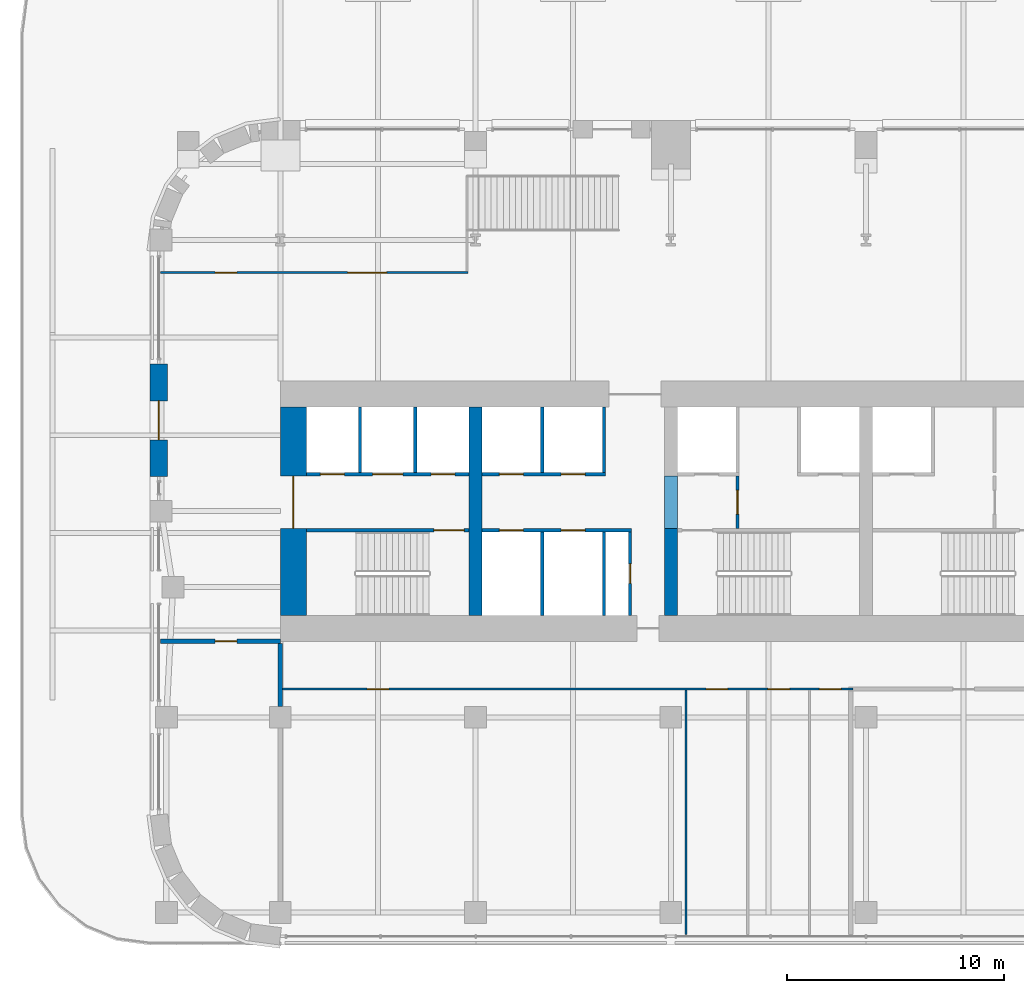
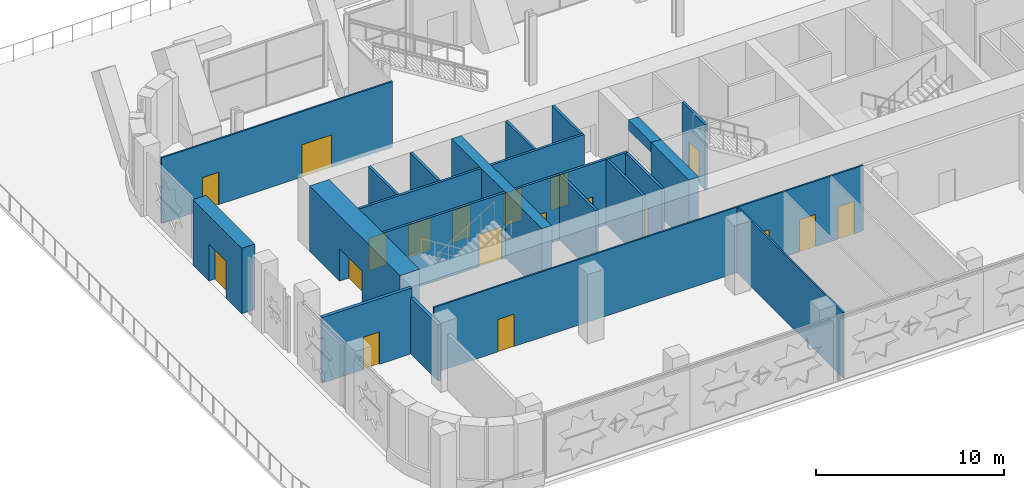
# One storey, part 14 of 26: 22 walls, 19 doors, 19 openings.
"""IFC4 building model written with IfcOpenShell, lengths in metres."""

from ifc_helpers import new_model, si_unit, direction, frame, frame_2d, origin, place, context, subcontext, project, spatial, rectangle, extrude, material, layer, layer_set, type_object, element, fill, save


model = new_model("IFC4")

# Units and contexts
model_context = context("Model", 3, precision=1e-05, world=origin(), true_north=direction((0.0, 1.0)))
body_context = subcontext(model_context, "Body", "Model", "MODEL_VIEW")
ifc_project = project(units=[si_unit("LENGTHUNIT", "METRE"), si_unit("AREAUNIT", "SQUARE_METRE"), si_unit("VOLUMEUNIT", "CUBIC_METRE"), si_unit("PLANEANGLEUNIT", "RADIAN"), si_unit("MASSUNIT", "GRAM", prefix="KILO")], contexts=[model_context])

# Site, building, storey
site_placement = place(None, origin())
site = spatial("IfcSite", under=ifc_project, at=site_placement, CompositionType="ELEMENT")
building_placement = place(site_placement, origin())
building = spatial("IfcBuilding", under=site, at=building_placement, Name="Zellij Exchange Tower", CompositionType="ELEMENT")
storey_placement = place(building_placement, frame((0.0, 0.0, 39.0)))
storey = spatial("IfcBuildingStorey", under=building, at=storey_placement, Name="L06", CompositionType="ELEMENT", Elevation=39.0)

# Walls
ifc_material_1 = material(Name="Concrete C70/85", Category="concrete")
ifc_layer_1 = layer(ifc_material_1, 0.60009765625)
ifc_layer_set_1 = layer_set([ifc_layer_1], Name="Concrete C70/85")
wall_type_1 = type_object("IfcWallType", Name="CORE-CW 600 C70/85", PredefinedType="SHEAR", material=ifc_layer_set_1)
wall_1_placement = place(storey_placement, frame((-18.0, -12.800048828125, 0.0), z_axis=(0.0, 0.0, 1.0), x_axis=(0.0, 1.0, 0.0)))
element("IfcWall", 1, at=wall_1_placement, inside=storey, type_object=wall_type_1, Name="Core cross wall x -18 L06", PredefinedType="SHEAR", context=body_context, shape_type="SweptSolid", body=[
    extrude(rectangle(XDim=9.60009765625, YDim=0.60009765625, at=frame_2d((4.800048828125, 0.0))), origin(), (0.0, 0.0, 1.0), 4.25),
])
wall_2_placement = place(storey_placement, frame((-9.0, -12.800048828125, 0.0), z_axis=(0.0, 0.0, 1.0), x_axis=(0.0, 1.0, 0.0)))
element("IfcWall", 2, at=wall_2_placement, inside=storey, type_object=wall_type_1, Name="Core cross wall pier x -9 a L06", PredefinedType="SHEAR", context=body_context, shape_type="SweptSolid", body=[
    extrude(rectangle(XDim=4.0, YDim=0.60009765625, at=frame_2d((2.0, 0.0))), origin(), (0.0, 0.0, 1.0), 4.25),
])
wall_3_placement = place(storey_placement, frame((-9.0, -8.800048828125, 3.60009765625), z_axis=(0.0, 0.0, 1.0), x_axis=(0.0, 1.0, 0.0)))
element("IfcWall", 3, at=wall_3_placement, inside=storey, type_object=wall_type_1, Name="Core cross wall over opening x -9 L06", PredefinedType="SHEAR", context=body_context, shape_type="SweptSolid", body=[
    extrude(rectangle(XDim=2.425048828125, YDim=0.60009765625, at=frame_2d((1.21240234375, 0.0))), origin(), (0.0, 0.0, 1.0), 0.64990234375),
])

# Wall, opening, door
ifc_material_2 = material(Name="Gypsum shaft wall system")
ifc_layer_2 = layer(ifc_material_2, 0.14990234375)
ifc_layer_set_2 = layer_set([ifc_layer_2], Name="Gypsum shaft wall system")
wall_type_2 = type_object("IfcWallType", Name="CORE-PW 150 Firefighting lobby wall", PredefinedType="PARTITIONING", material=ifc_layer_set_2)
wall_4_placement = place(storey_placement, frame((-5.925048828125, -8.800048828125, 0.0), z_axis=(0.0, 0.0, 1.0), x_axis=(0.0, 1.0, 0.0)))
wall_4 = element("IfcWall", 4, at=wall_4_placement, inside=storey, type_object=wall_type_2, Name="Firefighting lobby wall L06", PredefinedType="PARTITIONING", context=body_context, shape_type="SweptSolid", body=[
    extrude(rectangle(XDim=2.425048828125, YDim=0.14990234375, at=frame_2d((1.21240234375, 0.0))), origin(), (0.0, 0.0, 1.0), 4.25),
])
opening_1_placement = place(wall_4_placement, frame((0.662109375, 0.0, 0.0)))
opening_1 = element("IfcOpeningElement", 5, at=opening_1_placement, cuts=wall_4, Name="Opening CA-06.15", PredefinedType="OPENING", context=body_context, shape_type="SweptSolid", body=[
    extrude(rectangle(XDim=1.10009765625, YDim=2.10009765625, at=frame_2d((0.550048828125, 1.050048828125))), frame((0.0, 0.0869140625, 0.0), z_axis=(0.0, -1.0, 0.0), x_axis=(1.0, 0.0, 0.0)), (0.0, 0.0, 1.0), 0.173828125),
])
ifc_material_3 = material(Name="Hollow metal fire door")
door_type_1 = type_object("IfcDoorType", Name="CORE-D F Firefighting lobby door 1100x2100 1 HR", OperationType="NOTDEFINED", PredefinedType="DOOR", material=ifc_material_3)
door_1_placement = place(opening_1_placement, origin())
door_1 = element("IfcDoor", 6, at=door_1_placement, inside=storey, type_object=door_type_1, Name="Firefighting lobby door CA-06.15", OperationType="SINGLE_SWING_LEFT", OverallHeight=2.10009765625, OverallWidth=1.10009765625, PredefinedType="DOOR", context=body_context, shape_type="SweptSolid", body=[
    extrude(rectangle(XDim=1.10009765625, YDim=2.10009765625, at=frame_2d((0.550048828125, 1.050048828125))), frame((0.0, 0.02490234375, 0.0), z_axis=(0.0, -1.0, 0.0), x_axis=(1.0, 0.0, 0.0)), (0.0, 0.0, 1.0), 0.050048828125),
])
fill(opening_1, door_1)

ifc_material_4 = material(Name="Gypsum board partition")
ifc_layer_3 = layer(ifc_material_4, 0.14990234375)
ifc_layer_set_3 = layer_set([ifc_layer_3], Name="Gypsum board partition")
wall_type_3 = type_object("IfcWallType", Name="CORE-PW 150 Lift lobby wall", PredefinedType="PARTITIONING", material=ifc_layer_set_3)
wall_5_placement = place(storey_placement, frame((-10.875, -12.800048828125, 0.0), z_axis=(0.0, 0.0, 1.0), x_axis=(0.0, 1.0, 0.0)))
wall_5 = element("IfcWall", 7, at=wall_5_placement, inside=storey, type_object=wall_type_3, Name="Lift lobby wall L06", PredefinedType="PARTITIONING", context=body_context, shape_type="SweptSolid", body=[
    extrude(rectangle(XDim=3.85009765625, YDim=0.14990234375, at=frame_2d((1.925048828125, 0.0))), origin(), (0.0, 0.0, 1.0), 4.25),
])
opening_2_placement = place(wall_5_placement, frame((1.47509765625, 0.0, 0.0)))
opening_2 = element("IfcOpeningElement", 8, at=opening_2_placement, cuts=wall_5, Name="Opening CA-06.10", PredefinedType="OPENING", context=body_context, shape_type="SweptSolid", body=[
    extrude(rectangle(XDim=0.89990234375, YDim=2.10009765625, at=frame_2d((0.449951171875, 1.050048828125))), frame((0.0, 0.0869140625, 0.0), z_axis=(0.0, -1.0, 0.0), x_axis=(1.0, 0.0, 0.0)), (0.0, 0.0, 1.0), 0.173828125),
])
door_type_2 = type_object("IfcDoorType", Name="CORE-D RD Riser door 900x2100 1.5 HR", OperationType="NOTDEFINED", PredefinedType="DOOR", material=ifc_material_3)
door_2_placement = place(opening_2_placement, origin())
door_2 = element("IfcDoor", 9, at=door_2_placement, inside=storey, type_object=door_type_2, Name="Riser door CA-06.10", OperationType="SINGLE_SWING_RIGHT", OverallHeight=2.10009765625, OverallWidth=0.89990234375, PredefinedType="DOOR", context=body_context, shape_type="SweptSolid", body=[
    extrude(rectangle(XDim=0.89990234375, YDim=2.10009765625, at=frame_2d((0.449951171875, 1.050048828125))), frame((0.0, 0.02490234375, 0.0), z_axis=(0.0, -1.0, 0.0), x_axis=(1.0, 0.0, 0.0)), (0.0, 0.0, 1.0), 0.050048828125),
])
fill(opening_2, door_2)

# Walls
ifc_layer_4 = layer(ifc_material_2, 0.14990234375)
ifc_layer_set_4 = layer_set([ifc_layer_4], Name="Gypsum shaft wall system")
wall_type_4 = type_object("IfcWallType", Name="CORE-PW 150 Lift shaft wall", PredefinedType="PARTITIONING", material=ifc_layer_set_4)
for number, where, z_axis, x_axis, name in (
    (10, (-20.77490234375, -6.22509765625, 0.0), (0.0, 0.0, 1.0), (0.0, 1.0, 0.0), "Lift shaft wall L06"),
    (11, (-23.324951171875, -6.22509765625, 0.0), (0.0, 0.0, 1.0), (0.0, 1.0, 0.0), "Lift shaft wall L06"),
    (12, (-12.074951171875, -6.22509765625, 0.0), (0.0, 0.0, 1.0), (0.0, 1.0, 0.0), "Lift shaft wall L06"),
    (13, (-14.925048828125, -6.22509765625, 0.0), (0.0, 0.0, 1.0), (0.0, 1.0, 0.0), "Lift shaft wall L06"),
):
    element("IfcWall", number, at=place(storey_placement, frame(where, z_axis=z_axis, x_axis=x_axis)), inside=storey, type_object=wall_type_4, Name=name, PredefinedType="PARTITIONING", context=body_context, shape_type="SweptSolid", body=[
        extrude(rectangle(XDim=3.025146484375, YDim=0.14990234375, at=frame_2d((1.5126953125, 0.0))), origin(), (0.0, 0.0, 1.0), 4.25),
    ])
for number, where, z_axis, x_axis, name in (
    (14, (-12.074951171875, -12.800048828125, 0.0), (0.0, 0.0, 1.0), (0.0, 1.0, 0.0), "Lift shaft wall L06"),
    (15, (-14.925048828125, -12.800048828125, 0.0), (0.0, 0.0, 1.0), (0.0, 1.0, 0.0), "Lift shaft wall L06"),
):
    element("IfcWall", number, at=place(storey_placement, frame(where, z_axis=z_axis, x_axis=x_axis)), inside=storey, type_object=wall_type_4, Name=name, PredefinedType="PARTITIONING", context=body_context, shape_type="SweptSolid", body=[
        extrude(rectangle(XDim=3.85009765625, YDim=0.14990234375, at=frame_2d((1.925048828125, 0.0))), origin(), (0.0, 0.0, 1.0), 4.25),
    ])

# Wall, openings, doors
wall_6_placement = place(storey_placement, frame((-25.800048828125, -6.300048828125, 0.0), z_axis=(0.0, 0.0, 1.0), x_axis=(1.0, 0.0, 0.0)))
wall_6 = element("IfcWall", 16, at=wall_6_placement, inside=storey, type_object=wall_type_4, Name="Lift shaft wall L06", PredefinedType="PARTITIONING", context=body_context, shape_type="SweptSolid", body=[
    extrude(rectangle(XDim=7.5, YDim=0.14990234375, at=frame_2d((3.75, 0.0))), origin(), (0.0, 0.0, 1.0), 4.25),
])
opening_3_placement = place(wall_6_placement, frame((0.64990234375, 0.0, 0.0)))
opening_3 = element("IfcOpeningElement", 17, at=opening_3_placement, cuts=wall_6, Name="Opening CA-06.02", PredefinedType="OPENING", context=body_context, shape_type="SweptSolid", body=[
    extrude(rectangle(XDim=1.10009765625, YDim=2.10009765625, at=frame_2d((0.550048828125, 1.050048828125))), frame((0.0, 0.0869140625, 0.0), z_axis=(0.0, -1.0, 0.0), x_axis=(1.0, 0.0, 0.0)), (0.0, 0.0, 1.0), 0.173828125),
])
opening_4_placement = place(wall_6_placement, frame((3.050048828125, 0.0, 0.0)))
opening_4 = element("IfcOpeningElement", 18, at=opening_4_placement, cuts=wall_6, Name="Opening CA-06.03", PredefinedType="OPENING", context=body_context, shape_type="SweptSolid", body=[
    extrude(rectangle(XDim=1.39990234375, YDim=2.10009765625, at=frame_2d((0.699951171875, 1.050048828125))), frame((0.0, 0.0869140625, 0.0), z_axis=(0.0, -1.0, 0.0), x_axis=(1.0, 0.0, 0.0)), (0.0, 0.0, 1.0), 0.173828125),
])
opening_5_placement = place(wall_6_placement, frame((5.75, 0.0, 0.0)))
opening_5 = element("IfcOpeningElement", 19, at=opening_5_placement, cuts=wall_6, Name="Opening CA-06.04", PredefinedType="OPENING", context=body_context, shape_type="SweptSolid", body=[
    extrude(rectangle(XDim=1.10009765625, YDim=2.10009765625, at=frame_2d((0.550048828125, 1.050048828125))), frame((0.0, 0.0869140625, 0.0), z_axis=(0.0, -1.0, 0.0), x_axis=(1.0, 0.0, 0.0)), (0.0, 0.0, 1.0), 0.173828125),
])
door_type_3 = type_object("IfcDoorType", Name="CORE-D LD Lift landing door 1100x2100 1.5 HR", OperationType="NOTDEFINED", PredefinedType="DOOR", material=ifc_material_3)
door_3_placement = place(opening_3_placement, origin())
door_3 = element("IfcDoor", 20, at=door_3_placement, inside=storey, type_object=door_type_3, Name="Lift landing door CA-06.02", OperationType="SLIDING_TO_RIGHT", OverallHeight=2.10009765625, OverallWidth=1.10009765625, PredefinedType="DOOR", context=body_context, shape_type="SweptSolid", body=[
    extrude(rectangle(XDim=1.10009765625, YDim=2.10009765625, at=frame_2d((0.550048828125, 1.050048828125))), frame((0.0, 0.02490234375, 0.0), z_axis=(0.0, -1.0, 0.0), x_axis=(1.0, 0.0, 0.0)), (0.0, 0.0, 1.0), 0.050048828125),
])
fill(opening_3, door_3)
door_4_placement = place(opening_5_placement, origin())
door_4 = element("IfcDoor", 21, at=door_4_placement, inside=storey, type_object=door_type_3, Name="Lift landing door CA-06.04", OperationType="SLIDING_TO_RIGHT", OverallHeight=2.10009765625, OverallWidth=1.10009765625, PredefinedType="DOOR", context=body_context, shape_type="SweptSolid", body=[
    extrude(rectangle(XDim=1.10009765625, YDim=2.10009765625, at=frame_2d((0.550048828125, 1.050048828125))), frame((0.0, 0.02490234375, 0.0), z_axis=(0.0, -1.0, 0.0), x_axis=(1.0, 0.0, 0.0)), (0.0, 0.0, 1.0), 0.050048828125),
])
fill(opening_5, door_4)
door_type_4 = type_object("IfcDoorType", Name="CORE-D LD2 Service lift landing door 1400x2100 1.5 HR", OperationType="NOTDEFINED", PredefinedType="DOOR", material=ifc_material_3)
door_5_placement = place(opening_4_placement, origin())
door_5 = element("IfcDoor", 22, at=door_5_placement, inside=storey, type_object=door_type_4, Name="Service lift landing door CA-06.03", OperationType="SLIDING_TO_LEFT", OverallHeight=2.10009765625, OverallWidth=1.39990234375, PredefinedType="DOOR", context=body_context, shape_type="SweptSolid", body=[
    extrude(rectangle(XDim=1.39990234375, YDim=2.10009765625, at=frame_2d((0.699951171875, 1.050048828125))), frame((0.0, 0.02490234375, 0.0), z_axis=(0.0, -1.0, 0.0), x_axis=(1.0, 0.0, 0.0)), (0.0, 0.0, 1.0), 0.050048828125),
])
fill(opening_4, door_5)

wall_7_placement = place(storey_placement, frame((-17.699951171875, -6.300048828125, 0.0), z_axis=(0.0, 0.0, 1.0), x_axis=(1.0, 0.0, 0.0)))
wall_7 = element("IfcWall", 23, at=wall_7_placement, inside=storey, type_object=wall_type_4, Name="Lift shaft wall L06", PredefinedType="PARTITIONING", context=body_context, shape_type="SweptSolid", body=[
    extrude(rectangle(XDim=5.699951171875, YDim=0.14990234375, at=frame_2d((2.85009765625, 0.0))), origin(), (0.0, 0.0, 1.0), 4.25),
])
opening_6_placement = place(wall_7_placement, frame((0.800048828125, 0.0, 0.0)))
opening_6 = element("IfcOpeningElement", 24, at=opening_6_placement, cuts=wall_7, Name="Opening CA-06.07", PredefinedType="OPENING", context=body_context, shape_type="SweptSolid", body=[
    extrude(rectangle(XDim=1.10009765625, YDim=2.10009765625, at=frame_2d((0.550048828125, 1.050048828125))), frame((0.0, 0.0869140625, 0.0), z_axis=(0.0, -1.0, 0.0), x_axis=(1.0, 0.0, 0.0)), (0.0, 0.0, 1.0), 0.173828125),
])
opening_7_placement = place(wall_7_placement, frame((3.64990234375, 0.0, 0.0)))
opening_7 = element("IfcOpeningElement", 25, at=opening_7_placement, cuts=wall_7, Name="Opening CA-06.09", PredefinedType="OPENING", context=body_context, shape_type="SweptSolid", body=[
    extrude(rectangle(XDim=1.10009765625, YDim=2.10009765625, at=frame_2d((0.550048828125, 1.050048828125))), frame((0.0, 0.0869140625, 0.0), z_axis=(0.0, -1.0, 0.0), x_axis=(1.0, 0.0, 0.0)), (0.0, 0.0, 1.0), 0.173828125),
])
door_6_placement = place(opening_6_placement, origin())
door_6 = element("IfcDoor", 26, at=door_6_placement, inside=storey, type_object=door_type_3, Name="Lift landing door CA-06.07", OperationType="SLIDING_TO_LEFT", OverallHeight=2.10009765625, OverallWidth=1.10009765625, PredefinedType="DOOR", context=body_context, shape_type="SweptSolid", body=[
    extrude(rectangle(XDim=1.10009765625, YDim=2.10009765625, at=frame_2d((0.550048828125, 1.050048828125))), frame((0.0, 0.02490234375, 0.0), z_axis=(0.0, -1.0, 0.0), x_axis=(1.0, 0.0, 0.0)), (0.0, 0.0, 1.0), 0.050048828125),
])
fill(opening_6, door_6)
door_7_placement = place(opening_7_placement, origin())
door_7 = element("IfcDoor", 27, at=door_7_placement, inside=storey, type_object=door_type_3, Name="Lift landing door CA-06.09", OperationType="SLIDING_TO_LEFT", OverallHeight=2.10009765625, OverallWidth=1.10009765625, PredefinedType="DOOR", context=body_context, shape_type="SweptSolid", body=[
    extrude(rectangle(XDim=1.10009765625, YDim=2.10009765625, at=frame_2d((0.550048828125, 1.050048828125))), frame((0.0, 0.02490234375, 0.0), z_axis=(0.0, -1.0, 0.0), x_axis=(1.0, 0.0, 0.0)), (0.0, 0.0, 1.0), 0.050048828125),
])
fill(opening_7, door_7)

wall_8_placement = place(storey_placement, frame((-17.699951171875, -8.875, 0.0), z_axis=(0.0, 0.0, 1.0), x_axis=(1.0, 0.0, 0.0)))
wall_8 = element("IfcWall", 28, at=wall_8_placement, inside=storey, type_object=wall_type_4, Name="Lift shaft wall L06", PredefinedType="PARTITIONING", context=body_context, shape_type="SweptSolid", body=[
    extrude(rectangle(XDim=6.89990234375, YDim=0.14990234375, at=frame_2d((3.449951171875, 0.0))), origin(), (0.0, 0.0, 1.0), 4.25),
])
opening_8_placement = place(wall_8_placement, frame((0.800048828125, 0.0, 0.0)))
opening_8 = element("IfcOpeningElement", 29, at=opening_8_placement, cuts=wall_8, Name="Opening CA-06.06", PredefinedType="OPENING", context=body_context, shape_type="SweptSolid", body=[
    extrude(rectangle(XDim=1.10009765625, YDim=2.10009765625, at=frame_2d((0.550048828125, 1.050048828125))), frame((0.0, 0.0869140625, 0.0), z_axis=(0.0, -1.0, 0.0), x_axis=(1.0, 0.0, 0.0)), (0.0, 0.0, 1.0), 0.173828125),
])
opening_9_placement = place(wall_8_placement, frame((3.64990234375, 0.0, 0.0)))
opening_9 = element("IfcOpeningElement", 30, at=opening_9_placement, cuts=wall_8, Name="Opening CA-06.08", PredefinedType="OPENING", context=body_context, shape_type="SweptSolid", body=[
    extrude(rectangle(XDim=1.10009765625, YDim=2.10009765625, at=frame_2d((0.550048828125, 1.050048828125))), frame((0.0, 0.0869140625, 0.0), z_axis=(0.0, -1.0, 0.0), x_axis=(1.0, 0.0, 0.0)), (0.0, 0.0, 1.0), 0.173828125),
])
door_8_placement = place(opening_8_placement, origin())
door_8 = element("IfcDoor", 31, at=door_8_placement, inside=storey, type_object=door_type_3, Name="Lift landing door CA-06.06", OperationType="SLIDING_TO_RIGHT", OverallHeight=2.10009765625, OverallWidth=1.10009765625, PredefinedType="DOOR", context=body_context, shape_type="SweptSolid", body=[
    extrude(rectangle(XDim=1.10009765625, YDim=2.10009765625, at=frame_2d((0.550048828125, 1.050048828125))), frame((0.0, 0.02490234375, 0.0), z_axis=(0.0, -1.0, 0.0), x_axis=(1.0, 0.0, 0.0)), (0.0, 0.0, 1.0), 0.050048828125),
])
fill(opening_8, door_8)
door_9_placement = place(opening_9_placement, origin())
door_9 = element("IfcDoor", 32, at=door_9_placement, inside=storey, type_object=door_type_3, Name="Lift landing door CA-06.08", OperationType="SLIDING_TO_RIGHT", OverallHeight=2.10009765625, OverallWidth=1.10009765625, PredefinedType="DOOR", context=body_context, shape_type="SweptSolid", body=[
    extrude(rectangle(XDim=1.10009765625, YDim=2.10009765625, at=frame_2d((0.550048828125, 1.050048828125))), frame((0.0, 0.02490234375, 0.0), z_axis=(0.0, -1.0, 0.0), x_axis=(1.0, 0.0, 0.0)), (0.0, 0.0, 1.0), 0.050048828125),
])
fill(opening_9, door_9)

# Wall, opening, door
ifc_layer_5 = layer(ifc_material_1, 1.199951171875)
ifc_layer_set_5 = layer_set([ifc_layer_5], Name="Concrete C70/85")
wall_type_5 = type_object("IfcWallType", Name="CORE-SW 1200 C70/85", PredefinedType="SHEAR", material=ifc_layer_set_5)
wall_9_placement = place(storey_placement, frame((-26.39990234375, -12.800048828125, 0.0), z_axis=(0.0, 0.0, 1.0), x_axis=(0.0, 1.0, 0.0)))
wall_9 = element("IfcWall", 33, at=wall_9_placement, inside=storey, type_object=wall_type_5, Name="Core shear wall end w L06", PredefinedType="SHEAR", context=body_context, shape_type="SweptSolid", body=[
    extrude(rectangle(XDim=9.60009765625, YDim=1.199951171875, at=frame_2d((4.800048828125, 0.0))), origin(), (0.0, 0.0, 1.0), 4.25),
])
opening_10_placement = place(wall_9_placement, frame((4.011962890625, 0.0, 0.0)))
opening_10 = element("IfcOpeningElement", 34, at=opening_10_placement, cuts=wall_9, Name="Opening CA-06.01", PredefinedType="OPENING", context=body_context, shape_type="SweptSolid", body=[
    extrude(rectangle(XDim=2.39990234375, YDim=2.10009765625, at=frame_2d((1.199951171875, 1.050048828125))), frame((0.0, 0.61181640625, 0.0), z_axis=(0.0, -1.0, 0.0), x_axis=(1.0, 0.0, 0.0)), (0.0, 0.0, 1.0), 1.223876953125),
])
door_type_5 = type_object("IfcDoorType", Name="CORE-D CE Core entrance door 2400x2100 20 MIN", OperationType="NOTDEFINED", PredefinedType="DOOR", material=ifc_material_3)
door_10_placement = place(opening_10_placement, origin())
door_10 = element("IfcDoor", 35, at=door_10_placement, inside=storey, type_object=door_type_5, Name="Core entrance door CA-06.01", OperationType="DOUBLE_DOOR_SINGLE_SWING", OverallHeight=2.10009765625, OverallWidth=2.39990234375, PredefinedType="DOOR", context=body_context, shape_type="SweptSolid", body=[
    extrude(rectangle(XDim=2.39990234375, YDim=2.10009765625, at=frame_2d((1.199951171875, 1.050048828125))), frame((0.0, 0.02490234375, 0.0), z_axis=(0.0, -1.0, 0.0), x_axis=(1.0, 0.0, 0.0)), (0.0, 0.0, 1.0), 0.050048828125),
])
fill(opening_10, door_10)

ifc_layer_6 = layer(ifc_material_1, 0.14990234375)
ifc_layer_set_6 = layer_set([ifc_layer_6], Name="Concrete C70/85")
wall_type_6 = type_object("IfcWallType", Name="CORE-SWS 150 C70/85", PredefinedType="SHEAR", material=ifc_layer_set_6)
wall_10_placement = place(storey_placement, frame((-25.800048828125, -8.875, 0.0), z_axis=(0.0, 0.0, 1.0), x_axis=(1.0, 0.0, 0.0)))
wall_10 = element("IfcWall", 36, at=wall_10_placement, inside=storey, type_object=wall_type_6, Name="Stair enclosure wall L06", PredefinedType="SHEAR", context=body_context, shape_type="SweptSolid", body=[
    extrude(rectangle(XDim=7.5, YDim=0.14990234375, at=frame_2d((3.75, 0.0))), origin(), (0.0, 0.0, 1.0), 4.25),
])
opening_11_placement = place(wall_10_placement, frame((5.875, 0.0, 0.0)))
opening_11 = element("IfcOpeningElement", 37, at=opening_11_placement, cuts=wall_10, Name="Opening CA-06.05", PredefinedType="OPENING", context=body_context, shape_type="SweptSolid", body=[
    extrude(rectangle(XDim=1.39990234375, YDim=2.10009765625, at=frame_2d((0.699951171875, 1.050048828125))), frame((0.0, 0.0869140625, 0.0), z_axis=(0.0, -1.0, 0.0), x_axis=(1.0, 0.0, 0.0)), (0.0, 0.0, 1.0), 0.173828125),
])
door_type_6 = type_object("IfcDoorType", Name="CORE-D SD Stair door 1400x2100 1.5 HR", OperationType="NOTDEFINED", PredefinedType="DOOR", material=ifc_material_3)
door_11_placement = place(opening_11_placement, origin())
door_11 = element("IfcDoor", 38, at=door_11_placement, inside=storey, type_object=door_type_6, Name="Stair door CA-06.05", OperationType="DOUBLE_DOOR_SINGLE_SWING", OverallHeight=2.10009765625, OverallWidth=1.39990234375, PredefinedType="DOOR", context=body_context, shape_type="SweptSolid", body=[
    extrude(rectangle(XDim=1.39990234375, YDim=2.10009765625, at=frame_2d((0.699951171875, 1.050048828125))), frame((0.0, 0.02490234375, 0.0), z_axis=(0.0, -1.0, 0.0), x_axis=(1.0, 0.0, 0.0)), (0.0, 0.0, 1.0), 0.050048828125),
])
fill(opening_11, door_11)

ifc_material_5 = material(Name="Precast concrete C40/50", Category="concrete")
ifc_layer_7 = layer(ifc_material_5, 0.800048828125)
ifc_layer_set_7 = layer_set([ifc_layer_7], Name="Precast concrete C40/50")
wall_type_7 = type_object("IfcWallType", Name="ENV-EW1 Precast stone-piered wall 800", PredefinedType="SOLIDWALL", material=ifc_layer_set_7)
wall_11_placement = place(storey_placement, frame((-32.60009765625, -1.2158203125, 0.0), z_axis=(0.0, 0.0, 1.0), x_axis=(0.0, -1.0, 0.0)))
wall_11 = element("IfcWall", 39, at=wall_11_placement, inside=storey, type_object=wall_type_7, Name="fac.L06.21b", PredefinedType="SOLIDWALL", context=body_context, shape_type="SweptSolid", body=[
    extrude(rectangle(XDim=5.189453125, YDim=0.800048828125, at=frame_2d((2.5947265625, 0.0))), origin(), (0.0, 0.0, 1.0), 4.25),
])
opening_12_placement = place(wall_11_placement, frame((1.694580078125, 0.0, 0.0)))
opening_12 = element("IfcOpeningElement", 40, at=opening_12_placement, cuts=wall_11, Name="Opening FG.17", PredefinedType="OPENING", context=body_context, shape_type="SweptSolid", body=[
    extrude(rectangle(XDim=1.800048828125, YDim=2.39990234375, at=frame_2d((0.89990234375, 1.199951171875))), frame((0.0, 0.412109375, 0.0), z_axis=(0.0, -1.0, 0.0), x_axis=(1.0, 0.0, 0.0)), (0.0, 0.0, 1.0), 0.823974609375),
])
ifc_material_6 = material(Name="Aluminium and glass terrace door", Category="aluminium")
door_type_7 = type_object("IfcDoorType", Name="ENV-ED5 Terrace door 1800x2400", OperationType="DOUBLE_DOOR_SINGLE_SWING", PredefinedType="DOOR", material=ifc_material_6)
door_12_placement = place(opening_12_placement, origin())
door_12 = element("IfcDoor", 41, at=door_12_placement, inside=storey, type_object=door_type_7, Name="Terrace door FG.17", OperationType="DOUBLE_DOOR_SINGLE_SWING", OverallHeight=2.39990234375, OverallWidth=1.800048828125, PredefinedType="DOOR", context=body_context, shape_type="SweptSolid", body=[
    extrude(rectangle(XDim=1.800048828125, YDim=2.39990234375, at=frame_2d((0.89990234375, 1.199951171875))), frame((0.0, 0.02490234375, 0.0), z_axis=(0.0, -1.0, 0.0), x_axis=(1.0, 0.0, 0.0)), (0.0, 0.0, 1.0), 0.050048828125),
])
fill(opening_12, door_12)

# Wall
ifc_material_7 = material(Name="Blockwork partition", Category="masonry")
ifc_layer_8 = layer(ifc_material_7, 0.199951171875)
ifc_layer_set_8 = layer_set([ifc_layer_8], Name="Blockwork partition")
wall_type_8 = type_object("IfcWallType", Name="FIT-BLOCKWORK-200", PredefinedType="PARTITIONING", material=ifc_layer_set_8)
wall_12_placement = place(storey_placement, frame((-27.0, -17.0, 0.0), z_axis=(0.0, 0.0, 1.0), x_axis=(0.0, 1.0, 0.0)))
element("IfcWall", 42, at=wall_12_placement, inside=storey, type_object=wall_type_8, Name="FIT-BLOCKWORK-200 011", PredefinedType="PARTITIONING", context=body_context, shape_type="SweptSolid", body=[
    extrude(rectangle(XDim=2.89990234375, YDim=0.199951171875, at=frame_2d((1.449951171875, 0.0))), origin(), (0.0, 0.0, 1.0), 3.637939453125),
])

# Wall, opening, door
wall_13_placement = place(storey_placement, frame((-32.51611328125, -14.0, 0.0), z_axis=(0.0, 0.0, 1.0), x_axis=(1.0, 0.0, 0.0)))
wall_13 = element("IfcWall", 43, at=wall_13_placement, inside=storey, type_object=wall_type_8, Name="FIT-BLOCKWORK-200 019", PredefinedType="PARTITIONING", context=body_context, shape_type="SweptSolid", body=[
    extrude(rectangle(XDim=5.51611328125, YDim=0.199951171875, at=frame_2d((2.758056640625, 0.0))), origin(), (0.0, 0.0, 1.0), 4.25),
])
opening_13_placement = place(wall_13_placement, frame((2.51611328125, 0.0, 0.0)))
opening_13 = element("IfcOpeningElement", 44, at=opening_13_placement, cuts=wall_13, Name="Opening G6.09", PredefinedType="OPENING", context=body_context, shape_type="SweptSolid", body=[
    extrude(rectangle(XDim=1.0, YDim=2.10009765625, at=frame_2d((0.5, 1.050048828125))), frame((0.0, 0.11181640625, 0.0), z_axis=(0.0, -1.0, 0.0), x_axis=(1.0, 0.0, 0.0)), (0.0, 0.0, 1.0), 0.223876953125),
])
ifc_material_8 = material(Name="Timber door set", Category="wood")
door_type_8 = type_object("IfcDoorType", Name="FIT-D2-WIDE-1000X2100", OperationType="SINGLE_SWING_LEFT", PredefinedType="DOOR", material=ifc_material_8)
door_13_placement = place(opening_13_placement, origin())
door_13 = element("IfcDoor", 45, at=door_13_placement, inside=storey, type_object=door_type_8, Name="Door G6.09", OperationType="SINGLE_SWING_LEFT", OverallHeight=2.10009765625, OverallWidth=1.0, PredefinedType="DOOR", context=body_context, shape_type="SweptSolid", body=[
    extrude(rectangle(XDim=1.0, YDim=2.10009765625, at=frame_2d((0.5, 1.050048828125))), frame((0.0, 0.02490234375, 0.0), z_axis=(0.0, -1.0, 0.0), x_axis=(1.0, 0.0, 0.0)), (0.0, 0.0, 1.0), 0.050048828125),
])
fill(opening_13, door_13)

# Wall
ifc_material_9 = material(Name="Gypsum board partition on steel studs", Category="steel")
ifc_layer_9 = layer(ifc_material_9, 0.10009765625)
ifc_layer_set_9 = layer_set([ifc_layer_9], Name="Gypsum board partition on steel studs")
wall_type_9 = type_object("IfcWallType", Name="FIT-PARTITION-100", PredefinedType="PARTITIONING", material=ifc_layer_set_9)
wall_14_placement = place(storey_placement, frame((-8.300048828125, -27.51611328125, 0.0), z_axis=(0.0, 0.0, 1.0), x_axis=(0.0, 1.0, 0.0)))
element("IfcWall", 46, at=wall_14_placement, inside=storey, type_object=wall_type_9, Name="FIT-PARTITION-100 001", PredefinedType="PARTITIONING", context=body_context, shape_type="SweptSolid", body=[
    extrude(rectangle(XDim=11.26611328125, YDim=0.10009765625, at=frame_2d((5.633056640625, 0.0))), origin(), (0.0, 0.0, 1.0), 4.25),
])

# Wall, openings, doors
wall_15_placement = place(storey_placement, frame((-26.89990234375, -16.199951171875, 0.0), z_axis=(0.0, 0.0, 1.0), x_axis=(1.0, 0.0, 0.0)))
wall_15 = element("IfcWall", 47, at=wall_15_placement, inside=storey, type_object=wall_type_9, Name="FIT-PARTITION-100 014", PredefinedType="PARTITIONING", context=body_context, shape_type="SweptSolid", body=[
    extrude(rectangle(XDim=26.2998046875, YDim=0.10009765625, at=frame_2d((13.14990234375, 0.0))), origin(), (0.0, 0.0, 1.0), 4.25),
])
opening_14_placement = place(wall_15_placement, frame((3.89990234375, 0.0, 0.0)))
opening_14 = element("IfcOpeningElement", 48, at=opening_14_placement, cuts=wall_15, Name="Opening G6.01", PredefinedType="OPENING", context=body_context, shape_type="SweptSolid", body=[
    extrude(rectangle(XDim=1.0, YDim=2.10009765625, at=frame_2d((0.5, 1.050048828125))), frame((0.0, 0.06201171875, 0.0), z_axis=(0.0, -1.0, 0.0), x_axis=(1.0, 0.0, 0.0)), (0.0, 0.0, 1.0), 0.1240234375),
])
opening_15_placement = place(wall_15_placement, frame((19.52490234375, 0.0, 0.0)))
opening_15 = element("IfcOpeningElement", 49, at=opening_15_placement, cuts=wall_15, Name="Opening G6.02", PredefinedType="OPENING", context=body_context, shape_type="SweptSolid", body=[
    extrude(rectangle(XDim=1.0, YDim=2.10009765625, at=frame_2d((0.5, 1.050048828125))), frame((0.0, 0.06201171875, 0.0), z_axis=(0.0, -1.0, 0.0), x_axis=(1.0, 0.0, 0.0)), (0.0, 0.0, 1.0), 0.1240234375),
])
opening_16_placement = place(wall_15_placement, frame((22.375, 0.0, 0.0)))
opening_16 = element("IfcOpeningElement", 50, at=opening_16_placement, cuts=wall_15, Name="Opening G6.03", PredefinedType="OPENING", context=body_context, shape_type="SweptSolid", body=[
    extrude(rectangle(XDim=1.0, YDim=2.10009765625, at=frame_2d((0.5, 1.050048828125))), frame((0.0, 0.06201171875, 0.0), z_axis=(0.0, -1.0, 0.0), x_axis=(1.0, 0.0, 0.0)), (0.0, 0.0, 1.0), 0.1240234375),
])
opening_17_placement = place(wall_15_placement, frame((24.75, 0.0, 0.0)))
opening_17 = element("IfcOpeningElement", 51, at=opening_17_placement, cuts=wall_15, Name="Opening G6.04", PredefinedType="OPENING", context=body_context, shape_type="SweptSolid", body=[
    extrude(rectangle(XDim=1.0, YDim=2.10009765625, at=frame_2d((0.5, 1.050048828125))), frame((0.0, 0.06201171875, 0.0), z_axis=(0.0, -1.0, 0.0), x_axis=(1.0, 0.0, 0.0)), (0.0, 0.0, 1.0), 0.1240234375),
])
door_14_placement = place(opening_14_placement, origin())
door_14 = element("IfcDoor", 52, at=door_14_placement, inside=storey, type_object=door_type_8, Name="Door G6.01", OperationType="SINGLE_SWING_RIGHT", OverallHeight=2.10009765625, OverallWidth=1.0, PredefinedType="DOOR", context=body_context, shape_type="SweptSolid", body=[
    extrude(rectangle(XDim=1.0, YDim=2.10009765625, at=frame_2d((0.5, 1.050048828125))), frame((0.0, 0.02490234375, 0.0), z_axis=(0.0, -1.0, 0.0), x_axis=(1.0, 0.0, 0.0)), (0.0, 0.0, 1.0), 0.050048828125),
])
fill(opening_14, door_14)
door_15_placement = place(opening_15_placement, origin())
door_15 = element("IfcDoor", 53, at=door_15_placement, inside=storey, type_object=door_type_8, Name="Door G6.02", OperationType="SINGLE_SWING_LEFT", OverallHeight=2.10009765625, OverallWidth=1.0, PredefinedType="DOOR", context=body_context, shape_type="SweptSolid", body=[
    extrude(rectangle(XDim=1.0, YDim=2.10009765625, at=frame_2d((0.5, 1.050048828125))), frame((0.0, 0.02490234375, 0.0), z_axis=(0.0, -1.0, 0.0), x_axis=(1.0, 0.0, 0.0)), (0.0, 0.0, 1.0), 0.050048828125),
])
fill(opening_15, door_15)
door_16_placement = place(opening_16_placement, origin())
door_16 = element("IfcDoor", 54, at=door_16_placement, inside=storey, type_object=door_type_8, Name="Door G6.03", OperationType="SINGLE_SWING_LEFT", OverallHeight=2.10009765625, OverallWidth=1.0, PredefinedType="DOOR", context=body_context, shape_type="SweptSolid", body=[
    extrude(rectangle(XDim=1.0, YDim=2.10009765625, at=frame_2d((0.5, 1.050048828125))), frame((0.0, 0.02490234375, 0.0), z_axis=(0.0, -1.0, 0.0), x_axis=(1.0, 0.0, 0.0)), (0.0, 0.0, 1.0), 0.050048828125),
])
fill(opening_16, door_16)
door_17_placement = place(opening_17_placement, origin())
door_17 = element("IfcDoor", 55, at=door_17_placement, inside=storey, type_object=door_type_8, Name="Door G6.04", OperationType="SINGLE_SWING_RIGHT", OverallHeight=2.10009765625, OverallWidth=1.0, PredefinedType="DOOR", context=body_context, shape_type="SweptSolid", body=[
    extrude(rectangle(XDim=1.0, YDim=2.10009765625, at=frame_2d((0.5, 1.050048828125))), frame((0.0, 0.02490234375, 0.0), z_axis=(0.0, -1.0, 0.0), x_axis=(1.0, 0.0, 0.0)), (0.0, 0.0, 1.0), 0.050048828125),
])
fill(opening_17, door_17)

wall_16_placement = place(storey_placement, frame((-32.51611328125, 3.0, 0.0), z_axis=(0.0, 0.0, 1.0), x_axis=(1.0, 0.0, 0.0)))
wall_16 = element("IfcWall", 56, at=wall_16_placement, inside=storey, type_object=wall_type_9, Name="FIT-PARTITION-100 020", PredefinedType="PARTITIONING", context=body_context, shape_type="SweptSolid", body=[
    extrude(rectangle(XDim=14.166015625, YDim=0.10009765625, at=frame_2d((7.0830078125, 0.0))), origin(), (0.0, 0.0, 1.0), 4.25),
])
opening_18_placement = place(wall_16_placement, frame((2.51611328125, 0.0, 0.0)))
opening_18 = element("IfcOpeningElement", 57, at=opening_18_placement, cuts=wall_16, Name="Opening G6.10", PredefinedType="OPENING", context=body_context, shape_type="SweptSolid", body=[
    extrude(rectangle(XDim=1.0, YDim=2.10009765625, at=frame_2d((0.5, 1.050048828125))), frame((0.0, 0.06201171875, 0.0), z_axis=(0.0, -1.0, 0.0), x_axis=(1.0, 0.0, 0.0)), (0.0, 0.0, 1.0), 0.1240234375),
])
opening_19_placement = place(wall_16_placement, frame((8.615966796875, 0.0, 0.0)))
opening_19 = element("IfcOpeningElement", 58, at=opening_19_placement, cuts=wall_16, Name="Opening G6.11", PredefinedType="OPENING", context=body_context, shape_type="SweptSolid", body=[
    extrude(rectangle(XDim=1.800048828125, YDim=2.10009765625, at=frame_2d((0.89990234375, 1.050048828125))), frame((0.0, 0.06201171875, 0.0), z_axis=(0.0, -1.0, 0.0), x_axis=(1.0, 0.0, 0.0)), (0.0, 0.0, 1.0), 0.1240234375),
])
door_18_placement = place(opening_18_placement, origin())
door_18 = element("IfcDoor", 59, at=door_18_placement, inside=storey, type_object=door_type_8, Name="Door G6.10", OperationType="SINGLE_SWING_RIGHT", OverallHeight=2.10009765625, OverallWidth=1.0, PredefinedType="DOOR", context=body_context, shape_type="SweptSolid", body=[
    extrude(rectangle(XDim=1.0, YDim=2.10009765625, at=frame_2d((0.5, 1.050048828125))), frame((0.0, 0.02490234375, 0.0), z_axis=(0.0, -1.0, 0.0), x_axis=(1.0, 0.0, 0.0)), (0.0, 0.0, 1.0), 0.050048828125),
])
fill(opening_18, door_18)
door_type_9 = type_object("IfcDoorType", Name="FIT-D3-DOUBLE-1800X2100", OperationType="DOUBLE_DOOR_SINGLE_SWING", PredefinedType="DOOR", material=ifc_material_8)
door_19_placement = place(opening_19_placement, origin())
door_19 = element("IfcDoor", 60, at=door_19_placement, inside=storey, type_object=door_type_9, Name="Door G6.11", OperationType="DOUBLE_DOOR_SINGLE_SWING", OverallHeight=2.10009765625, OverallWidth=1.800048828125, PredefinedType="DOOR", context=body_context, shape_type="SweptSolid", body=[
    extrude(rectangle(XDim=1.800048828125, YDim=2.10009765625, at=frame_2d((0.89990234375, 1.050048828125))), frame((0.0, 0.02490234375, 0.0), z_axis=(0.0, -1.0, 0.0), x_axis=(1.0, 0.0, 0.0)), (0.0, 0.0, 1.0), 0.050048828125),
])
fill(opening_19, door_19)

save(model, "model.ifc")
